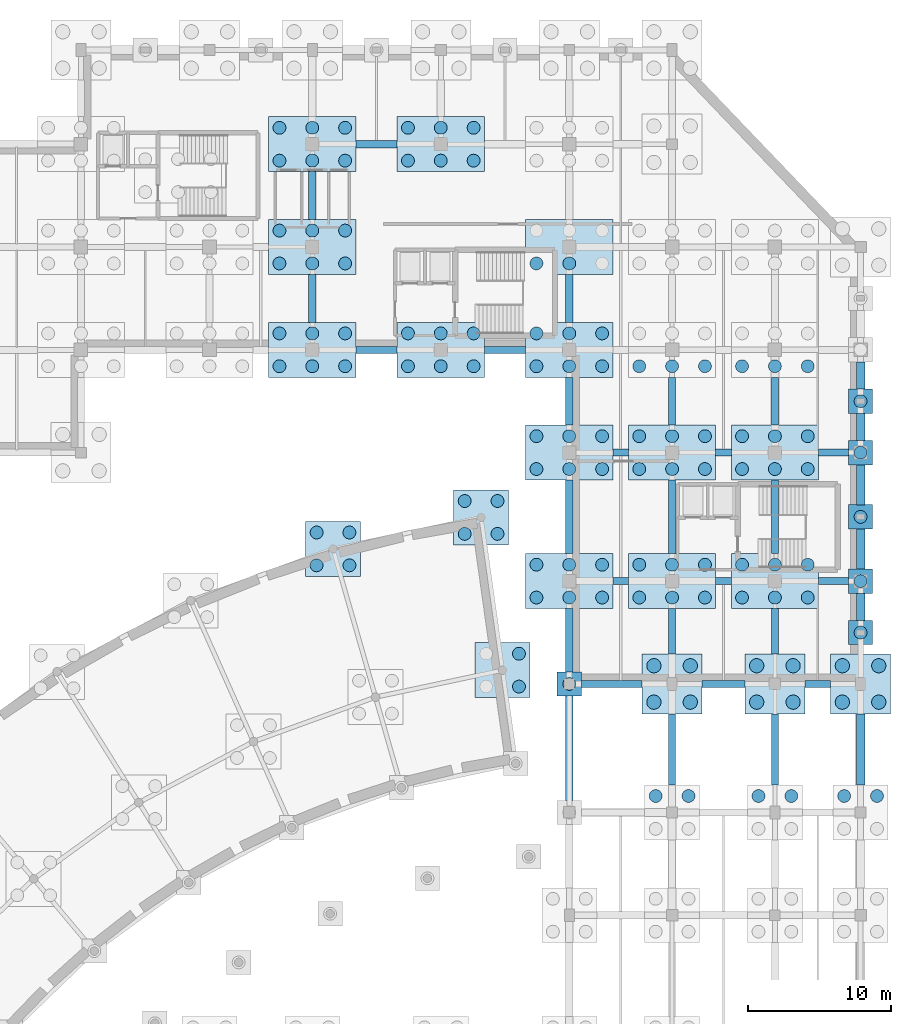
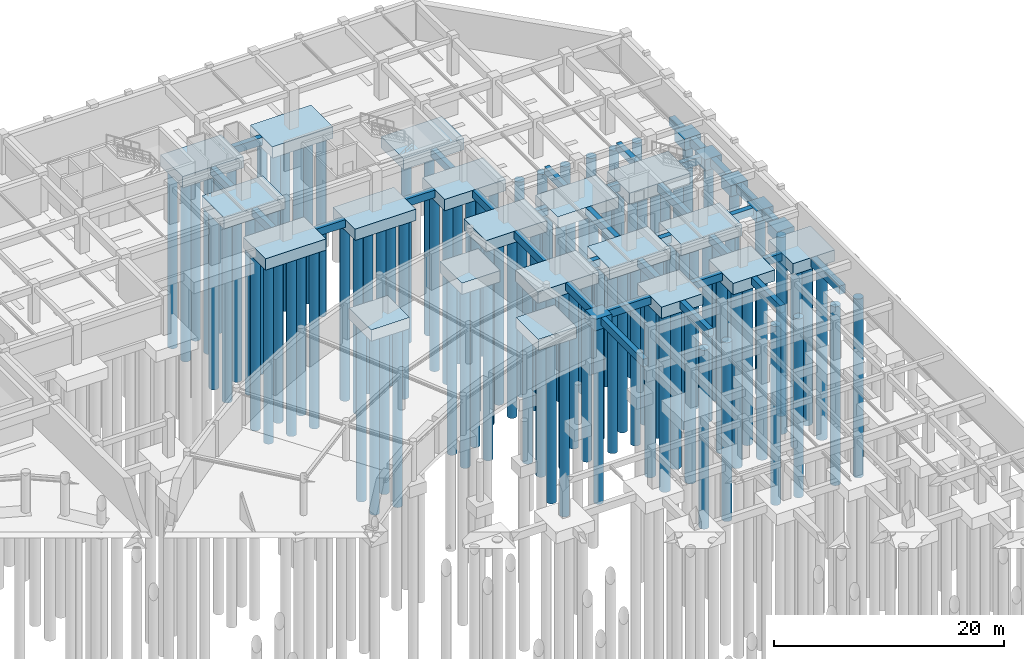
# One storey, part 11 of 42: 114 piles, 58 footings.
"""IFC4 building model written with IfcOpenShell, lengths in metres."""

from ifc_helpers import new_model, si_unit, direction, frame, frame_2d, origin, origin_2d, place, context, subcontext, project, spatial, rectangle, circle, extrude, material, material_profile, profile_set, type_object, element, save


model = new_model("IFC4")

# Units and contexts
model_context = context("Model", 3, precision=1e-05, world=origin(), true_north=direction((0.0, 1.0)))
body_context = subcontext(model_context, "Body", "Model", "MODEL_VIEW")
ifc_project = project(units=[si_unit("LENGTHUNIT", "METRE"), si_unit("AREAUNIT", "SQUARE_METRE"), si_unit("VOLUMEUNIT", "CUBIC_METRE"), si_unit("PLANEANGLEUNIT", "RADIAN"), si_unit("MASSUNIT", "GRAM", prefix="KILO")], contexts=[model_context])

# Site, building, storey
site_placement = place(None, origin())
site = spatial("IfcSite", under=ifc_project, at=site_placement, CompositionType="ELEMENT")
building_placement = place(site_placement, origin())
building = spatial("IfcBuilding", under=site, at=building_placement, Name="Clarverna Civic Hall", CompositionType="ELEMENT")
storey_placement = place(building_placement, frame((0.0, 0.0, -4.199951171875)))
storey = spatial("IfcBuildingStorey", under=building, at=storey_placement, Name="B01", CompositionType="ELEMENT", Elevation=-4.199951171875)

# Footings
ifc_material = material(Name="Concrete C30/37", Category="concrete")
footing_type_1 = type_object("IfcFootingType", Name="FC-02", PredefinedType="PILE_CAP", material=ifc_material)
for number, where, z_axis, x_axis, name in (
    (1, (142.92578125, 72.5654296875, -1.2001953125), (0.0, 0.0, 1.0), (1.0, 0.0, 0.0), "FC-02-001"),
    (2, (141.4228515625, 83.260498046875, -1.2001953125), (0.0, 0.0, 1.0), (1.0, 0.0, 0.0), "FC-02-011"),
    (3, (131.051513671875, 81.055908203125, -1.2001953125), (0.0, 0.0, 1.0), (1.0, 0.0, 0.0), "FC-02-012"),
):
    element("IfcFooting", number, at=place(storey_placement, frame(where, z_axis=z_axis, x_axis=x_axis)), inside=storey, type_object=footing_type_1, Name=name, PredefinedType="PILE_CAP", context=body_context, shape_type="SweptSolid", body=[
        extrude(rectangle(XDim=3.85009765625, YDim=3.85009765625, at=origin_2d()), origin(), (0.0, 0.0, 1.0), 1.199951171875),
    ])
footing_type_2 = type_object("IfcFootingType", Name="FC-03", PredefinedType="PILE_CAP", material=ifc_material)
for number, where, z_axis, x_axis, name in (
    (4, (154.800048828125, 71.60009765625, -1.2001953125), (0.0, 0.0, 1.0), (1.0, 0.0, 0.0), "FC-03-065"),
    (5, (162.0, 71.60009765625, -1.2001953125), (0.0, 0.0, 1.0), (1.0, 0.0, 0.0), "FC-03-068"),
    (6, (168.0, 71.60009765625, -1.2001953125), (0.0, 0.0, 1.0), (1.0, 0.0, 0.0), "FC-03-069"),
):
    element("IfcFooting", number, at=place(storey_placement, frame(where, z_axis=z_axis, x_axis=x_axis)), inside=storey, type_object=footing_type_2, Name=name, PredefinedType="PILE_CAP", context=body_context, shape_type="SweptSolid", body=[
        extrude(rectangle(XDim=4.199951171875, YDim=4.199951171875, at=origin_2d()), origin(), (0.0, 0.0, 1.0), 1.199951171875),
    ])
footing_type_3 = type_object("IfcFootingType", Name="FC-04", PredefinedType="PILE_CAP", material=ifc_material)
for number, where, z_axis, x_axis, name in (
    (7, (129.60009765625, 95.0, -1.2001953125), (0.0, 0.0, 1.0), (1.0, 0.0, 0.0), "FC-04-006"),
    (8, (129.60009765625, 102.199951171875, -1.2001953125), (0.0, 0.0, 1.0), (1.0, 0.0, 0.0), "FC-04-007"),
    (9, (129.60009765625, 109.39990234375, -1.2001953125), (0.0, 0.0, 1.0), (1.0, 0.0, 0.0), "FC-04-008"),
    (10, (138.60009765625, 95.0, -1.2001953125), (0.0, 0.0, 1.0), (1.0, 0.0, 0.0), "FC-04-009"),
    (11, (138.60009765625, 109.39990234375, -1.2001953125), (0.0, 0.0, 1.0), (1.0, 0.0, 0.0), "FC-04-010"),
    (12, (147.60009765625, 78.800048828125, -1.2001953125), (0.0, 0.0, 1.0), (1.0, 0.0, 0.0), "FC-04-011"),
    (13, (147.60009765625, 87.800048828125, -1.2001953125), (0.0, 0.0, 1.0), (1.0, 0.0, 0.0), "FC-04-012"),
    (14, (147.60009765625, 95.0, -1.2001953125), (0.0, 0.0, 1.0), (1.0, 0.0, 0.0), "FC-04-013"),
    (15, (147.60009765625, 102.199951171875, -1.2001953125), (0.0, 0.0, 1.0), (1.0, 0.0, 0.0), "FC-04-014"),
    (16, (154.800048828125, 78.800048828125, -1.2001953125), (0.0, 0.0, 1.0), (1.0, 0.0, 0.0), "FC-04-016"),
    (17, (154.800048828125, 87.800048828125, -1.2001953125), (0.0, 0.0, 1.0), (1.0, 0.0, 0.0), "FC-04-017"),
    (18, (162.0, 78.800048828125, -1.2001953125), (0.0, 0.0, 1.0), (1.0, 0.0, 0.0), "FC-04-020"),
    (19, (162.0, 87.800048828125, -1.2001953125), (0.0, 0.0, 1.0), (1.0, 0.0, 0.0), "FC-04-021"),
):
    element("IfcFooting", number, at=place(storey_placement, frame(where, z_axis=z_axis, x_axis=x_axis)), inside=storey, type_object=footing_type_3, Name=name, PredefinedType="PILE_CAP", context=body_context, shape_type="SweptSolid", body=[
        extrude(rectangle(XDim=6.10009765625, YDim=3.85009765625, at=origin_2d()), origin(), (0.0, 0.0, 1.0), 1.199951171875),
    ])
footing_type_4 = type_object("IfcFootingType", Name="FC-06", PredefinedType="PILE_CAP", material=ifc_material)
for number, where, z_axis, x_axis, name in (
    (20, (147.60009765625, 71.60009765625, -1.2001953125), (0.0, 0.0, 1.0), (1.0, 0.0, 0.0), "FC-06-028"),
    (21, (168.0, 78.800048828125, -1.2001953125), (0.0, 0.0, 1.0), (1.0, 0.0, 0.0), "FC-06-029"),
    (22, (168.0, 87.800048828125, -1.2001953125), (0.0, 0.0, 1.0), (1.0, 0.0, 0.0), "FC-06-030"),
    (23, (168.0, 75.199951171875, -1.2001953125), (0.0, 0.0, 1.0), (1.0, 0.0, 0.0), "FC-06-037"),
    (24, (168.0, 83.300048828125, -1.2001953125), (0.0, 0.0, 1.0), (1.0, 0.0, 0.0), "FC-06-038"),
    (25, (168.0, 91.39990234375, -1.2001953125), (0.0, 0.0, 1.0), (1.0, 0.0, 0.0), "FC-06-039"),
):
    element("IfcFooting", number, at=place(storey_placement, frame(where, z_axis=z_axis, x_axis=x_axis)), inside=storey, type_object=footing_type_4, Name=name, PredefinedType="PILE_CAP", context=body_context, shape_type="SweptSolid", body=[
        extrude(rectangle(XDim=1.699951171875, YDim=1.699951171875, at=origin_2d()), origin(), (0.0, 0.0, 1.0), 1.199951171875),
    ])
footing_type_5 = type_object("IfcFootingType", Name="GB-01", PredefinedType="FOOTING_BEAM", material=ifc_material)
footing_1_placement = place(storey_placement, frame((148.449951171875, 71.60009765625, -0.800048828125), z_axis=(0.0, 0.0, 1.0), x_axis=(1.0, 0.0, 0.0)))
element("IfcFooting", 26, at=footing_1_placement, inside=storey, type_object=footing_type_5, Name="GB-01-113", PredefinedType="FOOTING_BEAM", context=body_context, shape_type="SweptSolid", body=[
    extrude(rectangle(XDim=4.25, YDim=0.5, at=frame_2d((2.125, 0.0))), origin(), (0.0, 0.0, 1.0), 0.800048828125),
])
footing_2_placement = place(storey_placement, frame((156.89990234375, 71.60009765625, -0.800048828125), z_axis=(0.0, 0.0, 1.0), x_axis=(1.0, 0.0, 0.0)))
element("IfcFooting", 27, at=footing_2_placement, inside=storey, type_object=footing_type_5, Name="GB-01-114", PredefinedType="FOOTING_BEAM", context=body_context, shape_type="SweptSolid", body=[
    extrude(rectangle(XDim=3.0, YDim=0.5, at=frame_2d((1.5, 0.0))), origin(), (0.0, 0.0, 1.0), 0.800048828125),
])
footing_3_placement = place(storey_placement, frame((164.10009765625, 71.60009765625, -0.800048828125), z_axis=(0.0, 0.0, 1.0), x_axis=(1.0, 0.0, 0.0)))
element("IfcFooting", 28, at=footing_3_placement, inside=storey, type_object=footing_type_5, Name="GB-01-115", PredefinedType="FOOTING_BEAM", context=body_context, shape_type="SweptSolid", body=[
    extrude(rectangle(XDim=1.7998046875, YDim=0.5, at=frame_2d((0.89990234375, 0.0))), origin(), (0.0, 0.0, 1.0), 0.800048828125),
])
footing_4_placement = place(storey_placement, frame((150.64990234375, 78.800048828125, -0.800048828125), z_axis=(0.0, 0.0, 1.0), x_axis=(1.0, 0.0, 0.0)))
element("IfcFooting", 29, at=footing_4_placement, inside=storey, type_object=footing_type_5, Name="GB-01-120", PredefinedType="FOOTING_BEAM", context=body_context, shape_type="SweptSolid", body=[
    extrude(rectangle(XDim=1.10009765625, YDim=0.5, at=frame_2d((0.550048828125, 0.0))), origin(), (0.0, 0.0, 1.0), 0.800048828125),
])
footing_5_placement = place(storey_placement, frame((157.85009765625, 78.800048828125, -0.800048828125), z_axis=(0.0, 0.0, 1.0), x_axis=(1.0, 0.0, 0.0)))
element("IfcFooting", 30, at=footing_5_placement, inside=storey, type_object=footing_type_5, Name="GB-01-121", PredefinedType="FOOTING_BEAM", context=body_context, shape_type="SweptSolid", body=[
    extrude(rectangle(XDim=1.099853515625, YDim=0.5, at=frame_2d((0.5498046875, 0.0))), origin(), (0.0, 0.0, 1.0), 0.800048828125),
])
footing_6_placement = place(storey_placement, frame((165.050048828125, 78.800048828125, -0.800048828125), z_axis=(0.0, 0.0, 1.0), x_axis=(1.0, 0.0, 0.0)))
element("IfcFooting", 31, at=footing_6_placement, inside=storey, type_object=footing_type_5, Name="GB-01-122", PredefinedType="FOOTING_BEAM", context=body_context, shape_type="SweptSolid", body=[
    extrude(rectangle(XDim=2.099853515625, YDim=0.5, at=frame_2d((1.0498046875, 0.0))), origin(), (0.0, 0.0, 1.0), 0.800048828125),
])
footing_7_placement = place(storey_placement, frame((150.64990234375, 87.800048828125, -0.800048828125), z_axis=(0.0, 0.0, 1.0), x_axis=(1.0, 0.0, 0.0)))
element("IfcFooting", 32, at=footing_7_placement, inside=storey, type_object=footing_type_5, Name="GB-01-131", PredefinedType="FOOTING_BEAM", context=body_context, shape_type="SweptSolid", body=[
    extrude(rectangle(XDim=1.10009765625, YDim=0.5, at=frame_2d((0.550048828125, 0.0))), origin(), (0.0, 0.0, 1.0), 0.800048828125),
])
footing_8_placement = place(storey_placement, frame((157.85009765625, 87.800048828125, -0.800048828125), z_axis=(0.0, 0.0, 1.0), x_axis=(1.0, 0.0, 0.0)))
element("IfcFooting", 33, at=footing_8_placement, inside=storey, type_object=footing_type_5, Name="GB-01-132", PredefinedType="FOOTING_BEAM", context=body_context, shape_type="SweptSolid", body=[
    extrude(rectangle(XDim=1.099853515625, YDim=0.5, at=frame_2d((0.5498046875, 0.0))), origin(), (0.0, 0.0, 1.0), 0.800048828125),
])
footing_9_placement = place(storey_placement, frame((165.050048828125, 87.800048828125, -0.800048828125), z_axis=(0.0, 0.0, 1.0), x_axis=(1.0, 0.0, 0.0)))
element("IfcFooting", 34, at=footing_9_placement, inside=storey, type_object=footing_type_5, Name="GB-01-133", PredefinedType="FOOTING_BEAM", context=body_context, shape_type="SweptSolid", body=[
    extrude(rectangle(XDim=2.099853515625, YDim=0.5, at=frame_2d((1.0498046875, 0.0))), origin(), (0.0, 0.0, 1.0), 0.800048828125),
])
for number, where, z_axis, x_axis, name in (
    (35, (132.64990234375, 95.0, -0.800048828125), (0.0, 0.0, 1.0), (1.0, 0.0, 0.0), "GB-01-144"),
    (36, (141.64990234375, 95.0, -0.800048828125), (0.0, 0.0, 1.0), (1.0, 0.0, 0.0), "GB-01-145"),
    (37, (132.64990234375, 109.39990234375, -0.800048828125), (0.0, 0.0, 1.0), (1.0, 0.0, 0.0), "GB-01-169"),
):
    element("IfcFooting", number, at=place(storey_placement, frame(where, z_axis=z_axis, x_axis=x_axis)), inside=storey, type_object=footing_type_5, Name=name, PredefinedType="FOOTING_BEAM", context=body_context, shape_type="SweptSolid", body=[
        extrude(rectangle(XDim=2.900146484375, YDim=0.5, at=frame_2d((1.4501953125, 0.0))), origin(), (0.0, 0.0, 1.0), 0.800048828125),
    ])
footing_10_placement = place(storey_placement, frame((129.60009765625, 96.925048828125, -0.800048828125), z_axis=(0.0, 0.0, 1.0), x_axis=(0.0, 1.0, 0.0)))
element("IfcFooting", 38, at=footing_10_placement, inside=storey, type_object=footing_type_5, Name="GB-01-294", PredefinedType="FOOTING_BEAM", context=body_context, shape_type="SweptSolid", body=[
    extrude(rectangle(XDim=3.349853515625, YDim=0.5, at=frame_2d((1.6748046875, 0.0))), origin(), (0.0, 0.0, 1.0), 0.800048828125),
])
footing_11_placement = place(storey_placement, frame((129.60009765625, 104.125, -0.800048828125), z_axis=(0.0, 0.0, 1.0), x_axis=(0.0, 1.0, 0.0)))
element("IfcFooting", 39, at=footing_11_placement, inside=storey, type_object=footing_type_5, Name="GB-01-295", PredefinedType="FOOTING_BEAM", context=body_context, shape_type="SweptSolid", body=[
    extrude(rectangle(XDim=3.35009765625, YDim=0.5, at=frame_2d((1.675048828125, 0.0))), origin(), (0.0, 0.0, 1.0), 0.800048828125),
])
footing_12_placement = place(storey_placement, frame((147.60009765625, 63.449951171875, -0.800048828125), z_axis=(0.0, 0.0, 1.0), x_axis=(0.0, 1.0, 0.0)))
element("IfcFooting", 40, at=footing_12_placement, inside=storey, type_object=footing_type_5, Name="GB-01-312", PredefinedType="FOOTING_BEAM", context=body_context, shape_type="SweptSolid", body=[
    extrude(rectangle(XDim=7.300048828125, YDim=0.5, at=frame_2d((3.64990234375, 0.0))), origin(), (0.0, 0.0, 1.0), 0.800048828125),
])
footing_13_placement = place(storey_placement, frame((147.60009765625, 72.449951171875, -0.800048828125), z_axis=(0.0, 0.0, 1.0), x_axis=(0.0, 1.0, 0.0)))
element("IfcFooting", 41, at=footing_13_placement, inside=storey, type_object=footing_type_5, Name="GB-01-313", PredefinedType="FOOTING_BEAM", context=body_context, shape_type="SweptSolid", body=[
    extrude(rectangle(XDim=4.425048828125, YDim=0.5, at=frame_2d((2.21240234375, 0.0))), origin(), (0.0, 0.0, 1.0), 0.800048828125),
])
footing_14_placement = place(storey_placement, frame((147.60009765625, 80.72509765625, -0.800048828125), z_axis=(0.0, 0.0, 1.0), x_axis=(0.0, 1.0, 0.0)))
element("IfcFooting", 42, at=footing_14_placement, inside=storey, type_object=footing_type_5, Name="GB-01-314", PredefinedType="FOOTING_BEAM", context=body_context, shape_type="SweptSolid", body=[
    extrude(rectangle(XDim=5.14990234375, YDim=0.5, at=frame_2d((2.574951171875, 0.0))), origin(), (0.0, 0.0, 1.0), 0.800048828125),
])
for number, where, z_axis, x_axis, name in (
    (43, (147.60009765625, 89.72509765625, -0.800048828125), (0.0, 0.0, 1.0), (0.0, 1.0, 0.0), "GB-01-315"),
    (44, (147.60009765625, 96.925048828125, -0.800048828125), (0.0, 0.0, 1.0), (0.0, 1.0, 0.0), "GB-01-316"),
):
    element("IfcFooting", number, at=place(storey_placement, frame(where, z_axis=z_axis, x_axis=x_axis)), inside=storey, type_object=footing_type_5, Name=name, PredefinedType="FOOTING_BEAM", context=body_context, shape_type="SweptSolid", body=[
        extrude(rectangle(XDim=3.349853515625, YDim=0.5, at=frame_2d((1.6748046875, 0.0))), origin(), (0.0, 0.0, 1.0), 0.800048828125),
    ])
footing_15_placement = place(storey_placement, frame((154.800048828125, 64.52490234375, -0.800048828125), z_axis=(0.0, 0.0, 1.0), x_axis=(0.0, 1.0, 0.0)))
element("IfcFooting", 45, at=footing_15_placement, inside=storey, type_object=footing_type_5, Name="GB-01-327", PredefinedType="FOOTING_BEAM", context=body_context, shape_type="SweptSolid", body=[
    extrude(rectangle(XDim=4.97509765625, YDim=0.5, at=frame_2d((2.487548828125, 0.0))), origin(), (0.0, 0.0, 1.0), 0.800048828125),
])
footing_16_placement = place(storey_placement, frame((154.800048828125, 73.699951171875, -0.800048828125), z_axis=(0.0, 0.0, 1.0), x_axis=(0.0, 1.0, 0.0)))
element("IfcFooting", 46, at=footing_16_placement, inside=storey, type_object=footing_type_5, Name="GB-01-328", PredefinedType="FOOTING_BEAM", context=body_context, shape_type="SweptSolid", body=[
    extrude(rectangle(XDim=3.175048828125, YDim=0.5, at=frame_2d((1.58740234375, 0.0))), origin(), (0.0, 0.0, 1.0), 0.800048828125),
])
footing_17_placement = place(storey_placement, frame((154.800048828125, 80.72509765625, -0.800048828125), z_axis=(0.0, 0.0, 1.0), x_axis=(0.0, 1.0, 0.0)))
element("IfcFooting", 47, at=footing_17_placement, inside=storey, type_object=footing_type_5, Name="GB-01-329", PredefinedType="FOOTING_BEAM", context=body_context, shape_type="SweptSolid", body=[
    extrude(rectangle(XDim=5.14990234375, YDim=0.5, at=frame_2d((2.574951171875, 0.0))), origin(), (0.0, 0.0, 1.0), 0.800048828125),
])
footing_18_placement = place(storey_placement, frame((154.800048828125, 89.72509765625, -0.800048828125), z_axis=(0.0, 0.0, 1.0), x_axis=(0.0, 1.0, 0.0)))
element("IfcFooting", 48, at=footing_18_placement, inside=storey, type_object=footing_type_5, Name="GB-01-330", PredefinedType="FOOTING_BEAM", context=body_context, shape_type="SweptSolid", body=[
    extrude(rectangle(XDim=3.349853515625, YDim=0.5, at=frame_2d((1.6748046875, 0.0))), origin(), (0.0, 0.0, 1.0), 0.800048828125),
])
footing_19_placement = place(storey_placement, frame((162.0, 64.52490234375, -0.800048828125), z_axis=(0.0, 0.0, 1.0), x_axis=(0.0, 1.0, 0.0)))
element("IfcFooting", 49, at=footing_19_placement, inside=storey, type_object=footing_type_5, Name="GB-01-342", PredefinedType="FOOTING_BEAM", context=body_context, shape_type="SweptSolid", body=[
    extrude(rectangle(XDim=4.97509765625, YDim=0.5, at=frame_2d((2.487548828125, 0.0))), origin(), (0.0, 0.0, 1.0), 0.800048828125),
])
footing_20_placement = place(storey_placement, frame((162.0, 73.699951171875, -0.800048828125), z_axis=(0.0, 0.0, 1.0), x_axis=(0.0, 1.0, 0.0)))
element("IfcFooting", 50, at=footing_20_placement, inside=storey, type_object=footing_type_5, Name="GB-01-343", PredefinedType="FOOTING_BEAM", context=body_context, shape_type="SweptSolid", body=[
    extrude(rectangle(XDim=3.175048828125, YDim=0.5, at=frame_2d((1.58740234375, 0.0))), origin(), (0.0, 0.0, 1.0), 0.800048828125),
])
footing_21_placement = place(storey_placement, frame((162.0, 80.72509765625, -0.800048828125), z_axis=(0.0, 0.0, 1.0), x_axis=(0.0, 1.0, 0.0)))
element("IfcFooting", 51, at=footing_21_placement, inside=storey, type_object=footing_type_5, Name="GB-01-344", PredefinedType="FOOTING_BEAM", context=body_context, shape_type="SweptSolid", body=[
    extrude(rectangle(XDim=5.14990234375, YDim=0.5, at=frame_2d((2.574951171875, 0.0))), origin(), (0.0, 0.0, 1.0), 0.800048828125),
])
footing_22_placement = place(storey_placement, frame((162.0, 89.72509765625, -0.800048828125), z_axis=(0.0, 0.0, 1.0), x_axis=(0.0, 1.0, 0.0)))
element("IfcFooting", 52, at=footing_22_placement, inside=storey, type_object=footing_type_5, Name="GB-01-345", PredefinedType="FOOTING_BEAM", context=body_context, shape_type="SweptSolid", body=[
    extrude(rectangle(XDim=3.349853515625, YDim=0.5, at=frame_2d((1.6748046875, 0.0))), origin(), (0.0, 0.0, 1.0), 0.800048828125),
])
footing_type_6 = type_object("IfcFootingType", Name="GB-02", PredefinedType="FOOTING_BEAM", material=ifc_material)
footing_23_placement = place(storey_placement, frame((168.0, 64.52490234375, -0.900146484375), z_axis=(0.0, 0.0, 1.0), x_axis=(0.0, 1.0, 0.0)))
element("IfcFooting", 53, at=footing_23_placement, inside=storey, type_object=footing_type_6, Name="GB-02-058", PredefinedType="FOOTING_BEAM", context=body_context, shape_type="SweptSolid", body=[
    extrude(rectangle(XDim=4.97509765625, YDim=0.60009765625, at=frame_2d((2.487548828125, 0.0))), origin(), (0.0, 0.0, 1.0), 0.900146484375),
])
footing_24_placement = place(storey_placement, frame((168.0, 76.050048828125, -0.900146484375), z_axis=(0.0, 0.0, 1.0), x_axis=(0.0, 1.0, 0.0)))
element("IfcFooting", 54, at=footing_24_placement, inside=storey, type_object=footing_type_6, Name="GB-02-059", PredefinedType="FOOTING_BEAM", context=body_context, shape_type="SweptSolid", body=[
    extrude(rectangle(XDim=1.89990234375, YDim=0.60009765625, at=frame_2d((0.949951171875, 0.0))), origin(), (0.0, 0.0, 1.0), 0.900146484375),
])
for number, where, z_axis, x_axis, name in (
    (55, (168.0, 79.64990234375, -0.900146484375), (0.0, 0.0, 1.0), (0.0, 1.0, 0.0), "GB-02-060"),
    (56, (168.0, 84.14990234375, -0.900146484375), (0.0, 0.0, 1.0), (0.0, 1.0, 0.0), "GB-02-061"),
):
    element("IfcFooting", number, at=place(storey_placement, frame(where, z_axis=z_axis, x_axis=x_axis)), inside=storey, type_object=footing_type_6, Name=name, PredefinedType="FOOTING_BEAM", context=body_context, shape_type="SweptSolid", body=[
        extrude(rectangle(XDim=2.800048828125, YDim=0.60009765625, at=frame_2d((1.39990234375, 0.0))), origin(), (0.0, 0.0, 1.0), 0.900146484375),
    ])
footing_25_placement = place(storey_placement, frame((168.0, 88.64990234375, -0.900146484375), z_axis=(0.0, 0.0, 1.0), x_axis=(0.0, 1.0, 0.0)))
element("IfcFooting", 57, at=footing_25_placement, inside=storey, type_object=footing_type_6, Name="GB-02-062", PredefinedType="FOOTING_BEAM", context=body_context, shape_type="SweptSolid", body=[
    extrude(rectangle(XDim=1.900146484375, YDim=0.60009765625, at=frame_2d((0.9501953125, 0.0))), origin(), (0.0, 0.0, 1.0), 0.900146484375),
])
footing_26_placement = place(storey_placement, frame((168.0, 92.25, -0.900146484375), z_axis=(0.0, 0.0, 1.0), x_axis=(0.0, 1.0, 0.0)))
element("IfcFooting", 58, at=footing_26_placement, inside=storey, type_object=footing_type_6, Name="GB-02-063", PredefinedType="FOOTING_BEAM", context=body_context, shape_type="SweptSolid", body=[
    extrude(rectangle(XDim=1.89990234375, YDim=0.60009765625, at=frame_2d((0.949951171875, 0.0))), origin(), (0.0, 0.0, 1.0), 0.900146484375),
])

# Piles
ifc_material_profile_1 = material_profile(ifc_material, circle(Radius=0.449951171875, at=origin_2d()), Name="BORED PILE D900")
ifc_profile_set_1 = profile_set([ifc_material_profile_1], Name="Concrete C30/37")
pile_type_1 = type_object("IfcPileType", Name="PL-01", PredefinedType="BORED", material=ifc_profile_set_1)
for number, where, z_axis, x_axis, name in (
    (59, (144.075927734375, 71.41552734375, -1.10009765625), (0.0, 0.0, -1.0), (1.0, 0.0, 0.0), "PL-01-026"),
    (60, (144.075927734375, 73.715576171875, -1.10009765625), (0.0, 0.0, -1.0), (1.0, 0.0, 0.0), "PL-01-028"),
    (61, (140.272705078125, 82.1103515625, -1.10009765625), (0.0, 0.0, -1.0), (1.0, 0.0, 0.0), "PL-01-065"),
    (62, (142.57275390625, 82.1103515625, -1.10009765625), (0.0, 0.0, -1.0), (1.0, 0.0, 0.0), "PL-01-066"),
    (63, (140.272705078125, 84.410400390625, -1.10009765625), (0.0, 0.0, -1.0), (1.0, 0.0, 0.0), "PL-01-067"),
    (64, (142.57275390625, 84.410400390625, -1.10009765625), (0.0, 0.0, -1.0), (1.0, 0.0, 0.0), "PL-01-068"),
    (65, (129.901611328125, 79.906005859375, -1.10009765625), (0.0, 0.0, -1.0), (1.0, 0.0, 0.0), "PL-01-069"),
    (66, (132.20166015625, 79.906005859375, -1.10009765625), (0.0, 0.0, -1.0), (1.0, 0.0, 0.0), "PL-01-070"),
    (67, (129.901611328125, 82.205810546875, -1.10009765625), (0.0, 0.0, -1.0), (1.0, 0.0, 0.0), "PL-01-071"),
    (68, (132.20166015625, 82.205810546875, -1.10009765625), (0.0, 0.0, -1.0), (1.0, 0.0, 0.0), "PL-01-072"),
    (69, (127.300048828125, 93.85009765625, -1.10009765625), (0.0, 0.0, -1.0), (1.0, 0.0, 0.0), "PL-01-549"),
    (70, (129.60009765625, 93.85009765625, -1.10009765625), (0.0, 0.0, -1.0), (1.0, 0.0, 0.0), "PL-01-550"),
    (71, (131.89990234375, 93.85009765625, -1.10009765625), (0.0, 0.0, -1.0), (1.0, 0.0, 0.0), "PL-01-551"),
    (72, (127.300048828125, 96.14990234375, -1.10009765625), (0.0, 0.0, -1.0), (1.0, 0.0, 0.0), "PL-01-552"),
    (73, (129.60009765625, 96.14990234375, -1.10009765625), (0.0, 0.0, -1.0), (1.0, 0.0, 0.0), "PL-01-553"),
    (74, (131.89990234375, 96.14990234375, -1.10009765625), (0.0, 0.0, -1.0), (1.0, 0.0, 0.0), "PL-01-554"),
    (75, (127.300048828125, 101.050048828125, -1.10009765625), (0.0, 0.0, -1.0), (1.0, 0.0, 0.0), "PL-01-555"),
    (76, (129.60009765625, 101.050048828125, -1.10009765625), (0.0, 0.0, -1.0), (1.0, 0.0, 0.0), "PL-01-556"),
    (77, (131.89990234375, 101.050048828125, -1.10009765625), (0.0, 0.0, -1.0), (1.0, 0.0, 0.0), "PL-01-557"),
    (78, (127.300048828125, 103.35009765625, -1.10009765625), (0.0, 0.0, -1.0), (1.0, 0.0, 0.0), "PL-01-558"),
    (79, (129.60009765625, 103.35009765625, -1.10009765625), (0.0, 0.0, -1.0), (1.0, 0.0, 0.0), "PL-01-559"),
    (80, (131.89990234375, 103.35009765625, -1.10009765625), (0.0, 0.0, -1.0), (1.0, 0.0, 0.0), "PL-01-560"),
    (81, (127.300048828125, 108.25, -1.10009765625), (0.0, 0.0, -1.0), (1.0, 0.0, 0.0), "PL-01-561"),
    (82, (129.60009765625, 108.25, -1.10009765625), (0.0, 0.0, -1.0), (1.0, 0.0, 0.0), "PL-01-562"),
    (83, (131.89990234375, 108.25, -1.10009765625), (0.0, 0.0, -1.0), (1.0, 0.0, 0.0), "PL-01-563"),
    (84, (127.300048828125, 110.550048828125, -1.10009765625), (0.0, 0.0, -1.0), (1.0, 0.0, 0.0), "PL-01-564"),
    (85, (129.60009765625, 110.550048828125, -1.10009765625), (0.0, 0.0, -1.0), (1.0, 0.0, 0.0), "PL-01-565"),
    (86, (131.89990234375, 110.550048828125, -1.10009765625), (0.0, 0.0, -1.0), (1.0, 0.0, 0.0), "PL-01-566"),
    (87, (136.300048828125, 93.85009765625, -1.10009765625), (0.0, 0.0, -1.0), (1.0, 0.0, 0.0), "PL-01-595"),
    (88, (138.60009765625, 93.85009765625, -1.10009765625), (0.0, 0.0, -1.0), (1.0, 0.0, 0.0), "PL-01-596"),
    (89, (140.89990234375, 93.85009765625, -1.10009765625), (0.0, 0.0, -1.0), (1.0, 0.0, 0.0), "PL-01-597"),
    (90, (136.300048828125, 96.14990234375, -1.10009765625), (0.0, 0.0, -1.0), (1.0, 0.0, 0.0), "PL-01-598"),
    (91, (138.60009765625, 96.14990234375, -1.10009765625), (0.0, 0.0, -1.0), (1.0, 0.0, 0.0), "PL-01-599"),
    (92, (140.89990234375, 96.14990234375, -1.10009765625), (0.0, 0.0, -1.0), (1.0, 0.0, 0.0), "PL-01-600"),
    (93, (136.300048828125, 108.25, -1.10009765625), (0.0, 0.0, -1.0), (1.0, 0.0, 0.0), "PL-01-601"),
    (94, (138.60009765625, 108.25, -1.10009765625), (0.0, 0.0, -1.0), (1.0, 0.0, 0.0), "PL-01-602"),
    (95, (140.89990234375, 108.25, -1.10009765625), (0.0, 0.0, -1.0), (1.0, 0.0, 0.0), "PL-01-603"),
    (96, (136.300048828125, 110.550048828125, -1.10009765625), (0.0, 0.0, -1.0), (1.0, 0.0, 0.0), "PL-01-604"),
    (97, (138.60009765625, 110.550048828125, -1.10009765625), (0.0, 0.0, -1.0), (1.0, 0.0, 0.0), "PL-01-605"),
    (98, (140.89990234375, 110.550048828125, -1.10009765625), (0.0, 0.0, -1.0), (1.0, 0.0, 0.0), "PL-01-606"),
    (99, (147.60009765625, 71.60009765625, -1.10009765625), (0.0, 0.0, -1.0), (1.0, 0.0, 0.0), "PL-01-640"),
    (100, (145.300048828125, 77.64990234375, -1.10009765625), (0.0, 0.0, -1.0), (1.0, 0.0, 0.0), "PL-01-641"),
    (101, (147.60009765625, 77.64990234375, -1.10009765625), (0.0, 0.0, -1.0), (1.0, 0.0, 0.0), "PL-01-642"),
    (102, (149.89990234375, 77.64990234375, -1.10009765625), (0.0, 0.0, -1.0), (1.0, 0.0, 0.0), "PL-01-643"),
    (103, (145.300048828125, 79.949951171875, -1.10009765625), (0.0, 0.0, -1.0), (1.0, 0.0, 0.0), "PL-01-644"),
    (104, (147.60009765625, 79.949951171875, -1.10009765625), (0.0, 0.0, -1.0), (1.0, 0.0, 0.0), "PL-01-645"),
    (105, (149.89990234375, 79.949951171875, -1.10009765625), (0.0, 0.0, -1.0), (1.0, 0.0, 0.0), "PL-01-646"),
    (106, (145.300048828125, 86.64990234375, -1.10009765625), (0.0, 0.0, -1.0), (1.0, 0.0, 0.0), "PL-01-647"),
    (107, (147.60009765625, 86.64990234375, -1.10009765625), (0.0, 0.0, -1.0), (1.0, 0.0, 0.0), "PL-01-648"),
    (108, (149.89990234375, 86.64990234375, -1.10009765625), (0.0, 0.0, -1.0), (1.0, 0.0, 0.0), "PL-01-649"),
    (109, (145.300048828125, 88.949951171875, -1.10009765625), (0.0, 0.0, -1.0), (1.0, 0.0, 0.0), "PL-01-650"),
    (110, (147.60009765625, 88.949951171875, -1.10009765625), (0.0, 0.0, -1.0), (1.0, 0.0, 0.0), "PL-01-651"),
    (111, (149.89990234375, 88.949951171875, -1.10009765625), (0.0, 0.0, -1.0), (1.0, 0.0, 0.0), "PL-01-652"),
    (112, (145.300048828125, 93.85009765625, -1.10009765625), (0.0, 0.0, -1.0), (1.0, 0.0, 0.0), "PL-01-653"),
    (113, (147.60009765625, 93.85009765625, -1.10009765625), (0.0, 0.0, -1.0), (1.0, 0.0, 0.0), "PL-01-654"),
    (114, (149.89990234375, 93.85009765625, -1.10009765625), (0.0, 0.0, -1.0), (1.0, 0.0, 0.0), "PL-01-655"),
    (115, (145.300048828125, 96.14990234375, -1.10009765625), (0.0, 0.0, -1.0), (1.0, 0.0, 0.0), "PL-01-656"),
    (116, (147.60009765625, 96.14990234375, -1.10009765625), (0.0, 0.0, -1.0), (1.0, 0.0, 0.0), "PL-01-657"),
    (117, (149.89990234375, 96.14990234375, -1.10009765625), (0.0, 0.0, -1.0), (1.0, 0.0, 0.0), "PL-01-658"),
    (118, (145.300048828125, 101.050048828125, -1.10009765625), (0.0, 0.0, -1.0), (1.0, 0.0, 0.0), "PL-01-659"),
    (119, (147.60009765625, 101.050048828125, -1.10009765625), (0.0, 0.0, -1.0), (1.0, 0.0, 0.0), "PL-01-660"),
    (120, (153.64990234375, 63.75, -1.10009765625), (0.0, 0.0, -1.0), (1.0, 0.0, 0.0), "PL-01-705"),
    (121, (155.949951171875, 63.75, -1.10009765625), (0.0, 0.0, -1.0), (1.0, 0.0, 0.0), "PL-01-706"),
    (122, (152.5, 77.64990234375, -1.10009765625), (0.0, 0.0, -1.0), (1.0, 0.0, 0.0), "PL-01-707"),
    (123, (154.800048828125, 77.64990234375, -1.10009765625), (0.0, 0.0, -1.0), (1.0, 0.0, 0.0), "PL-01-708"),
    (124, (157.10009765625, 77.64990234375, -1.10009765625), (0.0, 0.0, -1.0), (1.0, 0.0, 0.0), "PL-01-709"),
    (125, (152.5, 79.949951171875, -1.10009765625), (0.0, 0.0, -1.0), (1.0, 0.0, 0.0), "PL-01-710"),
    (126, (154.800048828125, 79.949951171875, -1.10009765625), (0.0, 0.0, -1.0), (1.0, 0.0, 0.0), "PL-01-711"),
    (127, (157.10009765625, 79.949951171875, -1.10009765625), (0.0, 0.0, -1.0), (1.0, 0.0, 0.0), "PL-01-712"),
    (128, (152.5, 86.64990234375, -1.10009765625), (0.0, 0.0, -1.0), (1.0, 0.0, 0.0), "PL-01-713"),
    (129, (154.800048828125, 86.64990234375, -1.10009765625), (0.0, 0.0, -1.0), (1.0, 0.0, 0.0), "PL-01-714"),
    (130, (157.10009765625, 86.64990234375, -1.10009765625), (0.0, 0.0, -1.0), (1.0, 0.0, 0.0), "PL-01-715"),
    (131, (152.5, 88.949951171875, -1.10009765625), (0.0, 0.0, -1.0), (1.0, 0.0, 0.0), "PL-01-716"),
    (132, (154.800048828125, 88.949951171875, -1.10009765625), (0.0, 0.0, -1.0), (1.0, 0.0, 0.0), "PL-01-717"),
    (133, (157.10009765625, 88.949951171875, -1.10009765625), (0.0, 0.0, -1.0), (1.0, 0.0, 0.0), "PL-01-718"),
    (134, (152.5, 93.85009765625, -1.10009765625), (0.0, 0.0, -1.0), (1.0, 0.0, 0.0), "PL-01-719"),
    (135, (154.800048828125, 93.85009765625, -1.10009765625), (0.0, 0.0, -1.0), (1.0, 0.0, 0.0), "PL-01-720"),
    (136, (157.10009765625, 93.85009765625, -1.10009765625), (0.0, 0.0, -1.0), (1.0, 0.0, 0.0), "PL-01-721"),
    (137, (160.85009765625, 63.75, -1.10009765625), (0.0, 0.0, -1.0), (1.0, 0.0, 0.0), "PL-01-765"),
    (138, (163.14990234375, 63.75, -1.10009765625), (0.0, 0.0, -1.0), (1.0, 0.0, 0.0), "PL-01-766"),
    (139, (159.699951171875, 77.64990234375, -1.10009765625), (0.0, 0.0, -1.0), (1.0, 0.0, 0.0), "PL-01-767"),
    (140, (162.0, 77.64990234375, -1.10009765625), (0.0, 0.0, -1.0), (1.0, 0.0, 0.0), "PL-01-768"),
    (141, (164.300048828125, 77.64990234375, -1.10009765625), (0.0, 0.0, -1.0), (1.0, 0.0, 0.0), "PL-01-769"),
    (142, (159.699951171875, 79.949951171875, -1.10009765625), (0.0, 0.0, -1.0), (1.0, 0.0, 0.0), "PL-01-770"),
    (143, (162.0, 79.949951171875, -1.10009765625), (0.0, 0.0, -1.0), (1.0, 0.0, 0.0), "PL-01-771"),
    (144, (164.300048828125, 79.949951171875, -1.10009765625), (0.0, 0.0, -1.0), (1.0, 0.0, 0.0), "PL-01-772"),
    (145, (159.699951171875, 86.64990234375, -1.10009765625), (0.0, 0.0, -1.0), (1.0, 0.0, 0.0), "PL-01-773"),
    (146, (162.0, 86.64990234375, -1.10009765625), (0.0, 0.0, -1.0), (1.0, 0.0, 0.0), "PL-01-774"),
    (147, (164.300048828125, 86.64990234375, -1.10009765625), (0.0, 0.0, -1.0), (1.0, 0.0, 0.0), "PL-01-775"),
    (148, (159.699951171875, 88.949951171875, -1.10009765625), (0.0, 0.0, -1.0), (1.0, 0.0, 0.0), "PL-01-776"),
    (149, (162.0, 88.949951171875, -1.10009765625), (0.0, 0.0, -1.0), (1.0, 0.0, 0.0), "PL-01-777"),
    (150, (164.300048828125, 88.949951171875, -1.10009765625), (0.0, 0.0, -1.0), (1.0, 0.0, 0.0), "PL-01-778"),
    (151, (159.699951171875, 93.85009765625, -1.10009765625), (0.0, 0.0, -1.0), (1.0, 0.0, 0.0), "PL-01-779"),
    (152, (162.0, 93.85009765625, -1.10009765625), (0.0, 0.0, -1.0), (1.0, 0.0, 0.0), "PL-01-780"),
    (153, (164.300048828125, 93.85009765625, -1.10009765625), (0.0, 0.0, -1.0), (1.0, 0.0, 0.0), "PL-01-781"),
    (154, (166.85009765625, 63.75, -1.10009765625), (0.0, 0.0, -1.0), (1.0, 0.0, 0.0), "PL-01-825"),
    (155, (169.14990234375, 63.75, -1.10009765625), (0.0, 0.0, -1.0), (1.0, 0.0, 0.0), "PL-01-826"),
    (156, (168.0, 78.800048828125, -1.10009765625), (0.0, 0.0, -1.0), (1.0, 0.0, 0.0), "PL-01-827"),
    (157, (168.0, 87.800048828125, -1.10009765625), (0.0, 0.0, -1.0), (1.0, 0.0, 0.0), "PL-01-828"),
    (158, (168.0, 75.199951171875, -1.10009765625), (0.0, 0.0, -1.0), (1.0, 0.0, 0.0), "PL-01-835"),
    (159, (168.0, 83.300048828125, -1.10009765625), (0.0, 0.0, -1.0), (1.0, 0.0, 0.0), "PL-01-836"),
    (160, (168.0, 91.39990234375, -1.10009765625), (0.0, 0.0, -1.0), (1.0, 0.0, 0.0), "PL-01-837"),
):
    element("IfcPile", number, at=place(storey_placement, frame(where, z_axis=z_axis, x_axis=x_axis)), inside=storey, type_object=pile_type_1, Name=name, PredefinedType="BORED", context=body_context, shape_type="SweptSolid", body=[
        extrude(circle(Radius=0.449951171875, at=origin_2d()), origin(), (0.0, 0.0, 1.0), 19.0),
    ])
ifc_material_profile_2 = material_profile(ifc_material, circle(Radius=0.5, at=origin_2d()), Name="BORED PILE D1000")
ifc_profile_set_2 = profile_set([ifc_material_profile_2], Name="Concrete C30/37")
pile_type_2 = type_object("IfcPileType", Name="PL-02", PredefinedType="BORED", material=ifc_profile_set_2)
for number, where, z_axis, x_axis, name in (
    (161, (153.52490234375, 70.324951171875, -1.10009765625), (0.0, 0.0, -1.0), (1.0, 0.0, 0.0), "PL-02-311"),
    (162, (156.074951171875, 70.324951171875, -1.10009765625), (0.0, 0.0, -1.0), (1.0, 0.0, 0.0), "PL-02-312"),
    (163, (153.52490234375, 72.875, -1.10009765625), (0.0, 0.0, -1.0), (1.0, 0.0, 0.0), "PL-02-313"),
    (164, (156.074951171875, 72.875, -1.10009765625), (0.0, 0.0, -1.0), (1.0, 0.0, 0.0), "PL-02-314"),
    (165, (160.72509765625, 70.324951171875, -1.10009765625), (0.0, 0.0, -1.0), (1.0, 0.0, 0.0), "PL-02-323"),
    (166, (163.27490234375, 70.324951171875, -1.10009765625), (0.0, 0.0, -1.0), (1.0, 0.0, 0.0), "PL-02-324"),
    (167, (160.72509765625, 72.875, -1.10009765625), (0.0, 0.0, -1.0), (1.0, 0.0, 0.0), "PL-02-325"),
    (168, (163.27490234375, 72.875, -1.10009765625), (0.0, 0.0, -1.0), (1.0, 0.0, 0.0), "PL-02-326"),
    (169, (166.72509765625, 70.324951171875, -1.10009765625), (0.0, 0.0, -1.0), (1.0, 0.0, 0.0), "PL-02-327"),
    (170, (169.27490234375, 70.324951171875, -1.10009765625), (0.0, 0.0, -1.0), (1.0, 0.0, 0.0), "PL-02-328"),
    (171, (166.72509765625, 72.875, -1.10009765625), (0.0, 0.0, -1.0), (1.0, 0.0, 0.0), "PL-02-329"),
    (172, (169.27490234375, 72.875, -1.10009765625), (0.0, 0.0, -1.0), (1.0, 0.0, 0.0), "PL-02-330"),
):
    element("IfcPile", number, at=place(storey_placement, frame(where, z_axis=z_axis, x_axis=x_axis)), inside=storey, type_object=pile_type_2, Name=name, PredefinedType="BORED", context=body_context, shape_type="SweptSolid", body=[
        extrude(circle(Radius=0.5, at=origin_2d()), origin(), (0.0, 0.0, 1.0), 19.0),
    ])

save(model, "model.ifc")
